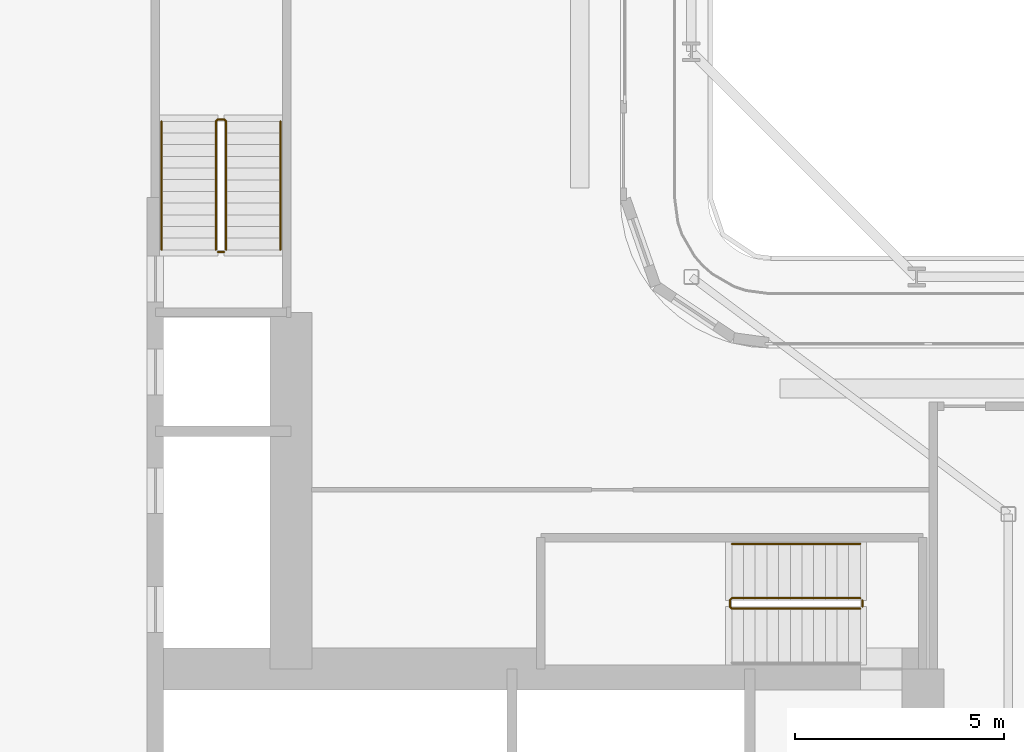
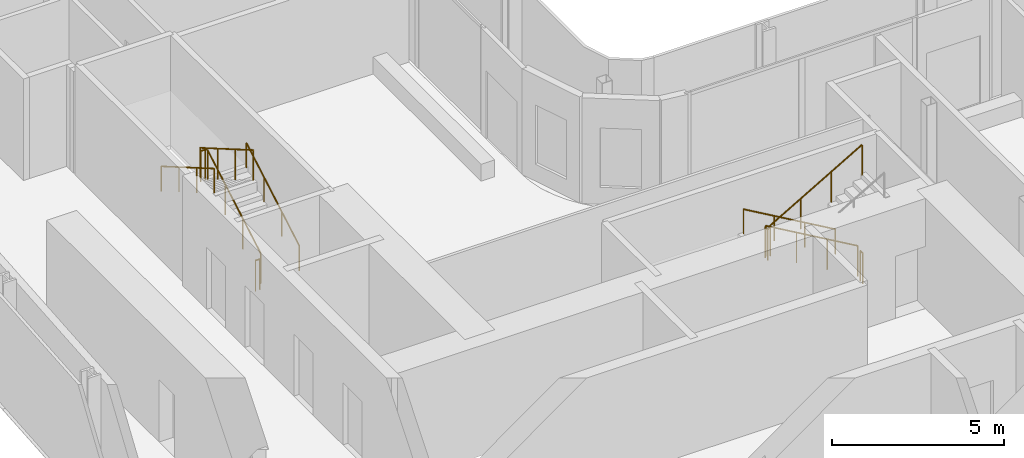
# One storey, part 23 of 28: 7 railings.
"""IFC4 building model written with IfcOpenShell, lengths in metres."""

from ifc_helpers import new_model, si_unit, direction, frame, origin, origin_2d, place, context, subcontext, project, spatial, circle, extrude, material, type_object, element, save


model = new_model("IFC4")

# Units and contexts
model_context = context("Model", 3, precision=1e-05, world=origin(), true_north=direction((0.0, 1.0)))
body_context = subcontext(model_context, "Body", "Model", "MODEL_VIEW")
ifc_project = project(units=[si_unit("LENGTHUNIT", "METRE"), si_unit("AREAUNIT", "SQUARE_METRE"), si_unit("VOLUMEUNIT", "CUBIC_METRE"), si_unit("PLANEANGLEUNIT", "RADIAN"), si_unit("MASSUNIT", "GRAM", prefix="KILO")], contexts=[model_context])

# Site, building, storey
site_placement = place(None, origin())
site = spatial("IfcSite", under=ifc_project, at=site_placement, CompositionType="ELEMENT")
building_placement = place(site_placement, origin())
building = spatial("IfcBuilding", under=site, at=building_placement, Name="Kheshtan School and Residences Tower", CompositionType="ELEMENT")
storey_placement = place(building_placement, frame((0.0, 0.0, 77.300048828125)))
storey = spatial("IfcBuildingStorey", under=building, at=storey_placement, Name="L18", CompositionType="ELEMENT", Elevation=77.300048828125)

# Railings
ifc_material_1 = material(Name="Stainless steel balustrade", Category="steel")
railing_type_1 = type_object("IfcRailingType", Name="Stair guard 1100", PredefinedType="GUARDRAIL", material=ifc_material_1)
railing_1_placement = place(storey_placement, frame((51.64990234375, 37.89990234375, 0.162353515625)))
element("IfcRailing", 1, at=railing_1_placement, inside=storey, type_object=railing_type_1, Name="L18 ST1 stair guard 1", PredefinedType="GUARDRAIL", context=body_context, shape_type="SweptSolid", body=[
    extrude(circle(Radius=0.02392578125, at=origin_2d()), frame((0.0, 0.0, 1.076171875), z_axis=(-0.864873446163, 0.0, 0.501989962173), x_axis=(0.0, -1.0, 0.0)), (0.0, 0.0, 1.0), 3.56103515625),
    extrude(circle(Radius=0.02392578125, at=origin_2d()), frame((-3.079833984375, 0.0, 2.86376953125), z_axis=(-0.708833529934, -0.705375805398, 0.0), x_axis=(0.705375805398, -0.708833529934, 0.0)), (0.0, 0.0, 1.0), 0.070556640625),
    extrude(circle(Radius=0.02392578125, at=origin_2d()), frame((-3.1298828125, -0.0498046875, 2.86376953125), z_axis=(0.0, -1.0, 0.0), x_axis=(1.0, 0.0, 0.0)), (0.0, 0.0, 1.0), 0.150146484375),
    extrude(circle(Radius=0.02392578125, at=origin_2d()), frame((-3.1298828125, -0.199951171875, 2.86376953125), z_axis=(0.282227285176, -0.282227285176, 0.916894497205), x_axis=(0.707106781187, 0.707106781187, 0.0)), (0.0, 0.0, 1.0), 0.17724609375),
    extrude(circle(Radius=0.02392578125, at=origin_2d()), frame((-3.079833984375, -0.25, 3.0263671875), z_axis=(0.864903211148, 0.0, 0.501938676878), x_axis=(0.0, 1.0, 0.0)), (0.0, 0.0, 1.0), 3.560791015625),
    extrude(circle(Radius=0.02099609375, at=origin_2d()), origin(), (0.0, 0.0, 1.0), 1.052001953125),
    extrude(circle(Radius=0.02099609375, at=origin_2d()), frame((-1.026611328125, 0.0, 0.595947265625)), (0.0, 0.0, 1.0), 1.052001953125),
    extrude(circle(Radius=0.02099609375, at=origin_2d()), frame((-2.05322265625, 0.0, 1.191650390625)), (0.0, 0.0, 1.0), 1.052001953125),
    extrude(circle(Radius=0.02099609375, at=origin_2d()), frame((-3.079833984375, 0.0, 1.78759765625)), (0.0, 0.0, 1.0), 1.052001953125),
    extrude(circle(Radius=0.02099609375, at=origin_2d()), frame((-3.1298828125, -0.0498046875, 1.78759765625)), (0.0, 0.0, 1.0), 1.052001953125),
    extrude(circle(Radius=0.02099609375, at=origin_2d()), frame((-3.1298828125, -0.199951171875, 1.78759765625)), (0.0, 0.0, 1.0), 1.052001953125),
    extrude(circle(Radius=0.02099609375, at=origin_2d()), frame((-3.079833984375, -0.25, 1.9501953125)), (0.0, 0.0, 1.0), 1.052001953125),
    extrude(circle(Radius=0.02099609375, at=origin_2d()), frame((-2.05322265625, -0.25, 2.5458984375)), (0.0, 0.0, 1.0), 1.052001953125),
    extrude(circle(Radius=0.02099609375, at=origin_2d()), frame((-1.026611328125, -0.25, 3.141845703125)), (0.0, 0.0, 1.0), 1.052001953125),
    extrude(circle(Radius=0.02099609375, at=origin_2d()), frame((0.0, -0.25, 3.737548828125)), (0.0, 0.0, 1.0), 1.052001953125),
])
railing_2_placement = place(storey_placement, frame((51.699951171875, 37.85009765625, 0.0)))
element("IfcRailing", 2, at=railing_2_placement, inside=storey, type_object=railing_type_1, Name="L18 ST1 stair guard 2", PredefinedType="GUARDRAIL", context=body_context, shape_type="SweptSolid", body=[
    extrude(circle(Radius=0.02392578125, at=origin_2d()), frame((0.0, 0.0, 1.076171875), z_axis=(0.0, -1.0, 0.0), x_axis=(1.0, 0.0, 0.0)), (0.0, 0.0, 1.0), 0.150146484375),
    extrude(circle(Radius=0.02099609375, at=origin_2d()), origin(), (0.0, 0.0, 1.0), 1.052001953125),
    extrude(circle(Radius=0.02099609375, at=origin_2d()), frame((0.0, -0.150146484375, 0.0)), (0.0, 0.0, 1.0), 1.052001953125),
])
railing_3_placement = place(storey_placement, frame((36.449951171875, 46.25, 0.162353515625)))
element("IfcRailing", 3, at=railing_3_placement, inside=storey, type_object=railing_type_1, Name="L18 ST2 stair guard 1", PredefinedType="GUARDRAIL", context=body_context, shape_type="SweptSolid", body=[
    extrude(circle(Radius=0.02392578125, at=origin_2d()), frame((0.0, 0.0, 1.076171875), z_axis=(0.0, 0.864890721111, 0.501960198159), x_axis=(-1.0, 0.0, 0.0)), (0.0, 0.0, 1.0), 3.561279296875),
    extrude(circle(Radius=0.02392578125, at=origin_2d()), frame((0.0, 3.080078125, 2.86376953125), z_axis=(-0.708833529934, 0.705375805398, 0.0), x_axis=(-0.705375805398, -0.708833529934, 0.0)), (0.0, 0.0, 1.0), 0.070556640625),
    extrude(circle(Radius=0.02392578125, at=origin_2d()), frame((-0.050048828125, 3.1298828125, 2.86376953125), z_axis=(-1.0, 0.0, 0.0), x_axis=(0.0, -1.0, 0.0)), (0.0, 0.0, 1.0), 0.14990234375),
    extrude(circle(Radius=0.02392578125, at=origin_2d()), frame((-0.199951171875, 3.1298828125, 2.86376953125), z_axis=(-0.282336740067, -0.280959487676, 0.917250092119), x_axis=(0.705375805398, -0.708833529934, 0.0)), (0.0, 0.0, 1.0), 0.17724609375),
    extrude(circle(Radius=0.02392578125, at=origin_2d()), frame((-0.25, 3.080078125, 3.0263671875), z_axis=(0.0, -0.864920483161, 0.501908913857), x_axis=(1.0, 0.0, 0.0)), (0.0, 0.0, 1.0), 3.56103515625),
    extrude(circle(Radius=0.02099609375, at=origin_2d()), origin(), (0.0, 0.0, 1.0), 1.052001953125),
    extrude(circle(Radius=0.02099609375, at=origin_2d()), frame((0.0, 1.026611328125, 0.595947265625)), (0.0, 0.0, 1.0), 1.052001953125),
    extrude(circle(Radius=0.02099609375, at=origin_2d()), frame((0.0, 2.053466796875, 1.191650390625)), (0.0, 0.0, 1.0), 1.052001953125),
    extrude(circle(Radius=0.02099609375, at=origin_2d()), frame((0.0, 3.080078125, 1.78759765625)), (0.0, 0.0, 1.0), 1.052001953125),
    extrude(circle(Radius=0.02099609375, at=origin_2d()), frame((-0.050048828125, 3.1298828125, 1.78759765625)), (0.0, 0.0, 1.0), 1.052001953125),
    extrude(circle(Radius=0.02099609375, at=origin_2d()), frame((-0.199951171875, 3.1298828125, 1.78759765625)), (0.0, 0.0, 1.0), 1.052001953125),
    extrude(circle(Radius=0.02099609375, at=origin_2d()), frame((-0.25, 3.080078125, 1.9501953125)), (0.0, 0.0, 1.0), 1.052001953125),
    extrude(circle(Radius=0.02099609375, at=origin_2d()), frame((-0.25, 2.053466796875, 2.5458984375)), (0.0, 0.0, 1.0), 1.052001953125),
    extrude(circle(Radius=0.02099609375, at=origin_2d()), frame((-0.25, 1.026611328125, 3.141845703125)), (0.0, 0.0, 1.0), 1.052001953125),
    extrude(circle(Radius=0.02099609375, at=origin_2d()), frame((-0.25, 0.0, 3.737548828125)), (0.0, 0.0, 1.0), 1.052001953125),
])
railing_4_placement = place(storey_placement, frame((36.39990234375, 46.199951171875, 0.0)))
element("IfcRailing", 4, at=railing_4_placement, inside=storey, type_object=railing_type_1, Name="L18 ST2 stair guard 2", PredefinedType="GUARDRAIL", context=body_context, shape_type="SweptSolid", body=[
    extrude(circle(Radius=0.02392578125, at=origin_2d()), frame((0.0, 0.0, 1.076171875), z_axis=(-1.0, 0.0, 0.0), x_axis=(0.0, -1.0, 0.0)), (0.0, 0.0, 1.0), 0.14990234375),
    extrude(circle(Radius=0.02099609375, at=origin_2d()), origin(), (0.0, 0.0, 1.0), 1.052001953125),
    extrude(circle(Radius=0.02099609375, at=origin_2d()), frame((-0.14990234375, 0.0, 0.0)), (0.0, 0.0, 1.0), 1.052001953125),
])
ifc_material_2 = material(Name="Stainless steel handrail", Category="steel")
railing_type_2 = type_object("IfcRailingType", Name="Stair handrail 900", PredefinedType="HANDRAIL", material=ifc_material_2)
railing_5_placement = place(storey_placement, frame((51.64990234375, 39.199951171875, 0.162353515625)))
element("IfcRailing", 5, at=railing_5_placement, inside=storey, type_object=railing_type_2, Name="L18 ST1 stair handrail 1", PredefinedType="HANDRAIL", context=body_context, shape_type="SweptSolid", body=[
    extrude(circle(Radius=0.02392578125, at=origin_2d()), frame((0.0, 0.0, 0.8759765625), z_axis=(-0.864873446163, 0.0, 0.501989962173), x_axis=(0.0, -1.0, 0.0)), (0.0, 0.0, 1.0), 3.56103515625),
    extrude(circle(Radius=0.02099609375, at=origin_2d()), origin(), (0.0, 0.0, 1.0), 0.851806640625),
    extrude(circle(Radius=0.02099609375, at=origin_2d()), frame((-1.026611328125, 0.0, 0.595947265625)), (0.0, 0.0, 1.0), 0.851806640625),
    extrude(circle(Radius=0.02099609375, at=origin_2d()), frame((-2.05322265625, 0.0, 1.191650390625)), (0.0, 0.0, 1.0), 0.851806640625),
    extrude(circle(Radius=0.02099609375, at=origin_2d()), frame((-3.079833984375, 0.0, 1.78759765625)), (0.0, 0.0, 1.0), 0.851806640625),
])
railing_6_placement = place(storey_placement, frame((37.75, 46.25, 0.162353515625)))
element("IfcRailing", 6, at=railing_6_placement, inside=storey, type_object=railing_type_2, Name="L18 ST2 stair handrail 1", PredefinedType="HANDRAIL", context=body_context, shape_type="SweptSolid", body=[
    extrude(circle(Radius=0.02392578125, at=origin_2d()), frame((0.0, 0.0, 0.8759765625), z_axis=(0.0, 0.864890721111, 0.501960198159), x_axis=(-1.0, 0.0, 0.0)), (0.0, 0.0, 1.0), 3.561279296875),
    extrude(circle(Radius=0.02099609375, at=origin_2d()), origin(), (0.0, 0.0, 1.0), 0.851806640625),
    extrude(circle(Radius=0.02099609375, at=origin_2d()), frame((0.0, 1.026611328125, 0.595947265625)), (0.0, 0.0, 1.0), 0.851806640625),
    extrude(circle(Radius=0.02099609375, at=origin_2d()), frame((0.0, 2.053466796875, 1.191650390625)), (0.0, 0.0, 1.0), 0.851806640625),
    extrude(circle(Radius=0.02099609375, at=origin_2d()), frame((0.0, 3.080078125, 1.78759765625)), (0.0, 0.0, 1.0), 0.851806640625),
])
railing_7_placement = place(storey_placement, frame((34.89990234375, 49.330078125, 2.112548828125)))
element("IfcRailing", 7, at=railing_7_placement, inside=storey, type_object=railing_type_2, Name="L18 ST2 stair handrail 2", PredefinedType="HANDRAIL", context=body_context, shape_type="SweptSolid", body=[
    extrude(circle(Radius=0.02392578125, at=origin_2d()), frame((0.0, 0.0, 0.8759765625), z_axis=(0.0, -0.864920483161, 0.501908913857), x_axis=(1.0, 0.0, 0.0)), (0.0, 0.0, 1.0), 3.56103515625),
    extrude(circle(Radius=0.02099609375, at=origin_2d()), origin(), (0.0, 0.0, 1.0), 0.851806640625),
    extrude(circle(Radius=0.02099609375, at=origin_2d()), frame((0.0, -1.026611328125, 0.595703125)), (0.0, 0.0, 1.0), 0.851806640625),
    extrude(circle(Radius=0.02099609375, at=origin_2d()), frame((0.0, -2.053466796875, 1.191650390625)), (0.0, 0.0, 1.0), 0.851806640625),
    extrude(circle(Radius=0.02099609375, at=origin_2d()), frame((0.0, -3.080078125, 1.787353515625)), (0.0, 0.0, 1.0), 0.851806640625),
])

save(model, "model.ifc")
